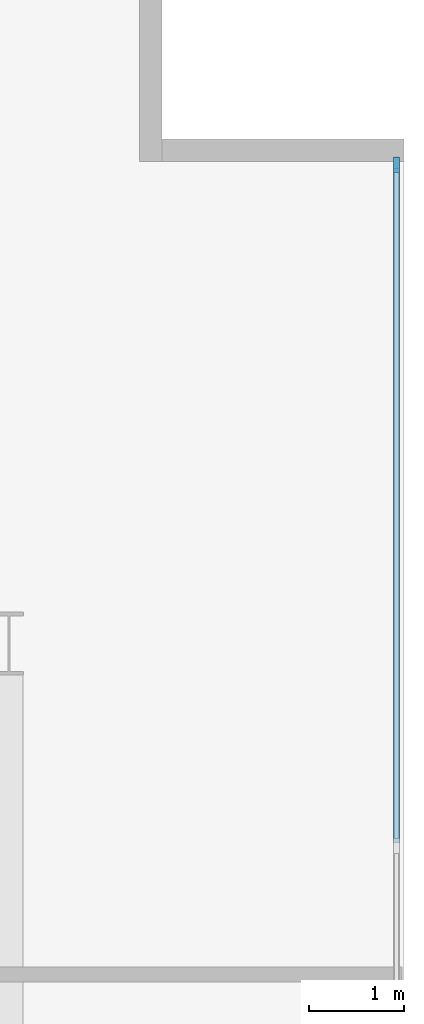
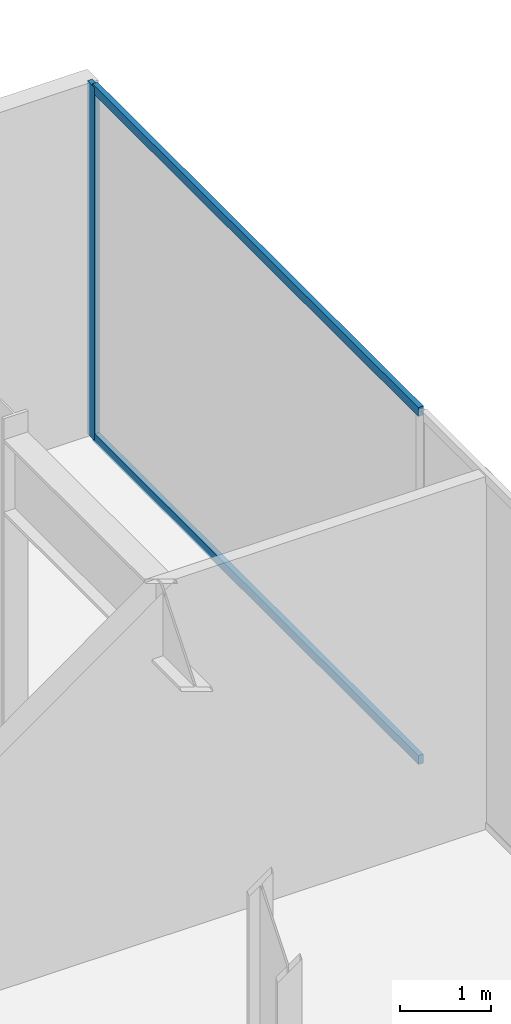
# One storey, part 15 of 23: 3 members, 1 element without a shape of its own.
"""IFC4 building model written with IfcOpenShell, lengths in metres."""

from ifc_helpers import new_model, si_unit, direction, frame, origin, origin_2d, place, context, subcontext, project, spatial, rectangle, extrude, material, layer, layer_set, material_profile, profile_set, type_object, element, aggregate, save


model = new_model("IFC4")

# Units and contexts
model_context = context("Model", 3, precision=1e-05, world=origin(), true_north=direction((0.0, 1.0)))
body_context = subcontext(model_context, "Body", "Model", "MODEL_VIEW")
ifc_project = project(units=[si_unit("LENGTHUNIT", "METRE"), si_unit("AREAUNIT", "SQUARE_METRE"), si_unit("VOLUMEUNIT", "CUBIC_METRE"), si_unit("PLANEANGLEUNIT", "RADIAN"), si_unit("MASSUNIT", "GRAM", prefix="KILO")], contexts=[model_context])

# Site, building, storey
site_placement = place(None, origin())
site = spatial("IfcSite", under=ifc_project, at=site_placement, CompositionType="ELEMENT")
building_placement = place(site_placement, origin())
building = spatial("IfcBuilding", under=site, at=building_placement, Name="Putna Gate Headquarters", CompositionType="ELEMENT")
storey_placement = place(building_placement, frame((0.0, 0.0, 310.39990234375)))
storey = spatial("IfcBuildingStorey", under=building, at=storey_placement, Name="L78", CompositionType="ELEMENT", Elevation=310.39990234375)

# Curtain wall, members
ifc_material_1 = material(Name="Anodised bronze aluminium curtain wall", Category="aluminium")
ifc_layer = layer(ifc_material_1, 0.159912109375)
ifc_layer_set = layer_set([ifc_layer], Name="Anodised bronze aluminium curtain wall")
curtain_wall_type = type_object("IfcCurtainWallType", Name="CW-SYS-CRN", PredefinedType="USERDEFINED", material=ifc_layer_set)
curtain_wall_placement = place(storey_placement, origin())
curtain_wall = element("IfcCurtainWall", 1, at=curtain_wall_placement, inside=storey, type_object=curtain_wall_type, Name="L78 Acoustic Louvre East Enclosure", ObjectType="STICK CURTAIN WALL", PredefinedType="USERDEFINED")
ifc_material_2 = material(Name="Anodised bronze aluminium EN AW-6060", Category="aluminium")
ifc_material_profile_1 = material_profile(ifc_material_2, rectangle(XDim=0.06494140625, YDim=0.159912109375, at=origin_2d()), Name="Anodised bronze aluminium EN AW-6060")
ifc_profile_set_1 = profile_set([ifc_material_profile_1], Name="Anodised bronze aluminium EN AW-6060")
member_type_1 = type_object("IfcMemberType", Name="MULL-CWM-CR", PredefinedType="MULLION", material=ifc_profile_set_1)
member_1_placement = place(storey_placement, frame((74.02001953125, 44.0673828125, 0.0), z_axis=(0.0, 0.0, 1.0), x_axis=(-1.0, 0.0, 0.0)))
member_1 = element("IfcMember", 2, at=member_1_placement, type_object=member_type_1, Name="CWS-CR mullion 6", PredefinedType="MULLION", context=body_context, shape_type="SweptSolid", body=[
    extrude(rectangle(XDim=0.06494140625, YDim=0.159912109375, at=origin_2d()), origin(), (0.0, 0.0, 1.0), 4.72021484375),
])
ifc_material_profile_2 = material_profile(ifc_material_2, rectangle(XDim=0.06494140625, YDim=0.1201171875, at=origin_2d()), Name="Anodised bronze aluminium EN AW-6060")
ifc_profile_set_2 = profile_set([ifc_material_profile_2], Name="Anodised bronze aluminium EN AW-6060")
member_type_2 = type_object("IfcMemberType", Name="TRAN-CWT-CR", PredefinedType="USERDEFINED", material=ifc_profile_set_2)
member_2_placement = place(storey_placement, frame((74.02001953125, 36.892578125, 0.03271484375), z_axis=(0.0, 1.0, 0.0), x_axis=(-1.0, 0.0, 0.0)))
member_2 = element("IfcMember", 3, at=member_2_placement, type_object=member_type_2, Name="CWS-CR transom 5.1", ObjectType="TRANSOM", PredefinedType="USERDEFINED", context=body_context, shape_type="SweptSolid", body=[
    extrude(rectangle(XDim=0.06494140625, YDim=0.1201171875, at=origin_2d()), origin(), (0.0, 0.0, 1.0), 7.142333984375),
])
member_3_placement = place(storey_placement, frame((74.02001953125, 36.892578125, 4.6875), z_axis=(0.0, 1.0, 0.0), x_axis=(-1.0, 0.0, 0.0)))
member_3 = element("IfcMember", 4, at=member_3_placement, type_object=member_type_2, Name="CWS-CR transom 5.2", ObjectType="TRANSOM", PredefinedType="USERDEFINED", context=body_context, shape_type="SweptSolid", body=[
    extrude(rectangle(XDim=0.06494140625, YDim=0.1201171875, at=origin_2d()), origin(), (0.0, 0.0, 1.0), 7.142333984375),
])
aggregate(curtain_wall, [member_1, member_2, member_3])

save(model, "model.ifc")
